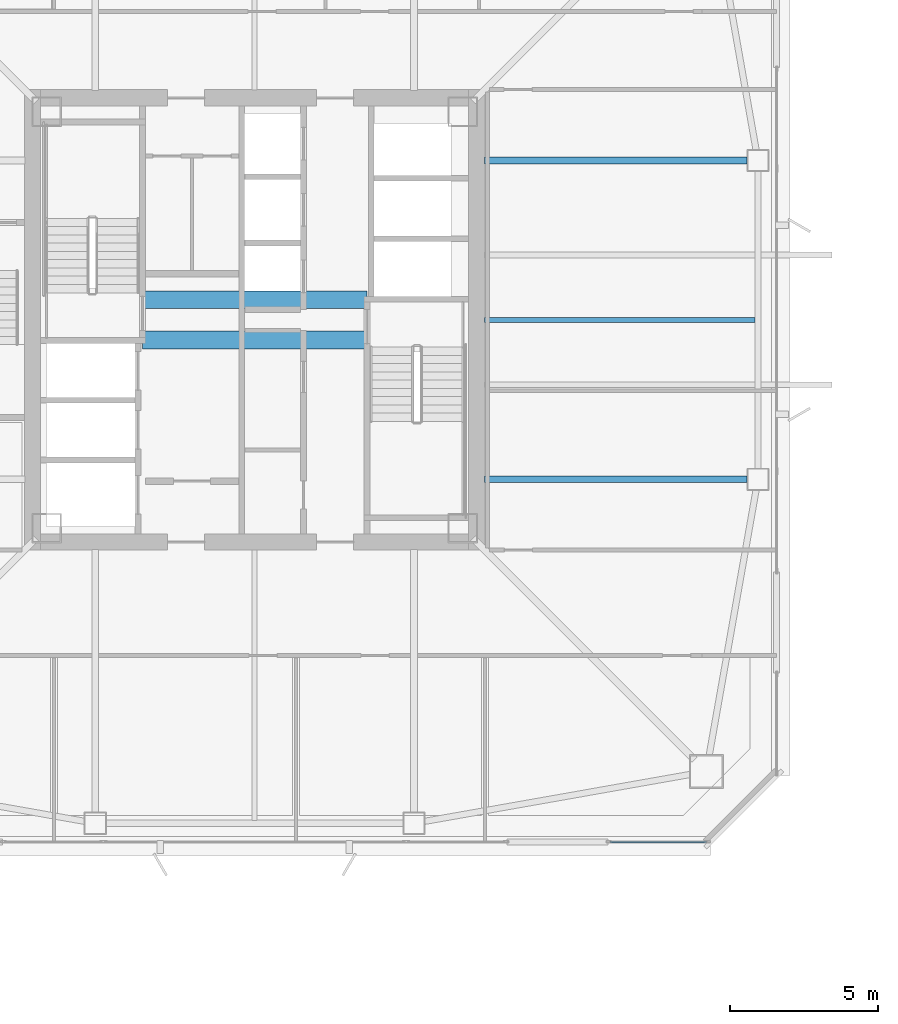
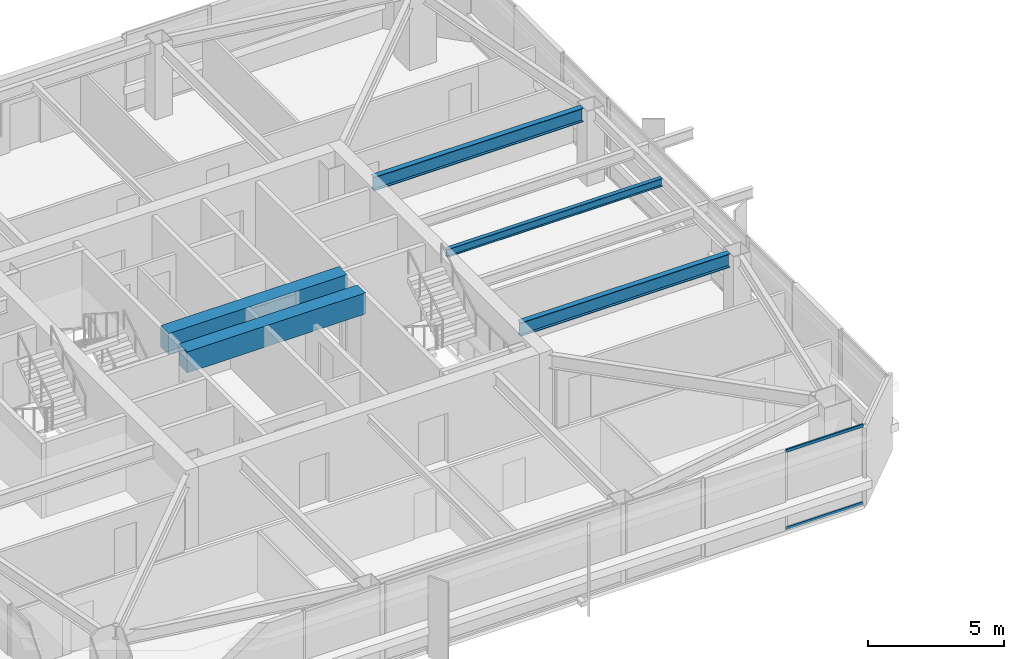
# One storey, part 9 of 46: 5 beams, 2 members, 1 element without a shape of its own.
"""IFC4 building model written with IfcOpenShell, lengths in metres."""

import ifcopenshell
import ifcopenshell.guid

model = None  # the IFC model being written
_history = None  # IfcOwnerHistory: only IFC2X3 demands one
_inside = {}  # id of a spatial element -> (the spatial element, [elements in it])
_under = {}  # id of a project, library or spatial element -> (it, [spatial elements below it])
_declared = {}  # id of a project -> (the project, [libraries it declares])
_typed = {}  # id of a type object -> (the type object, [elements of that type])
_made_of = {}  # id of a material, layer set ... -> (it, [elements and type objects made of it])


def new_model(schema):
    """Start an empty IFC model of exactly this schema.

    Asked for "IFC4X3", IfcOpenShell would pick the latest addendum, in which some entities
    have other attributes; the version numbers below select the first issue.
    IFC2X3 requires an IfcOwnerHistory on every rooted entity: one is made here for all.
    """
    global model, _history
    if schema == "IFC4X3":
        model = ifcopenshell.file(schema_version=(4, 3, 0, 0))
    else:
        model = ifcopenshell.file(schema=schema)
    _inside.clear()
    _under.clear()
    _declared.clear()
    _typed.clear()
    _made_of.clear()
    _history = None
    if model.schema == "IFC2X3":
        org = make("IfcOrganization", Name="unknown")
        user = make(
            "IfcPersonAndOrganization",
            ThePerson=make("IfcPerson", FamilyName="unknown"),
            TheOrganization=org,
        )
        app = make(
            "IfcApplication",
            ApplicationDeveloper=org,
            Version="unknown",
            ApplicationFullName="unknown",
            ApplicationIdentifier="unknown",
        )
        _history = make(
            "IfcOwnerHistory",
            OwningUser=user,
            OwningApplication=app,
            ChangeAction="ADDED",
            CreationDate=0,
        )
    return model


def make(cls, **values):
    """One entity of the class cls with the attributes given. An attribute that is None is left unset."""
    return model.create_entity(
        cls, **{name: value for name, value in values.items() if value is not None}
    )


def rooted(cls, **values):
    """An entity with a GlobalId (a new one), such as an element, a storey or a relation."""
    return make(cls, GlobalId=ifcopenshell.guid.new(), OwnerHistory=_history, **values)


def si_unit(unit_type, name, prefix=None):
    """IfcSIUnit, for example si_unit("LENGTHUNIT", "METRE", prefix="MILLI")."""
    return make("IfcSIUnit", UnitType=unit_type, Prefix=prefix, Name=name)


def assignment(units):
    """IfcUnitAssignment: the units of a project."""
    return None if units is None else make("IfcUnitAssignment", Units=units)


def point(xyz):
    """IfcCartesianPoint."""
    return None if xyz is None else make("IfcCartesianPoint", Coordinates=xyz)


def direction(xyz):
    """IfcDirection."""
    return None if xyz is None else make("IfcDirection", DirectionRatios=xyz)


def frame(location, z_axis=None, x_axis=None):
    """IfcAxis2Placement3D, a coordinate frame: its origin and axes. An axis left out is left unset."""
    return make(
        "IfcAxis2Placement3D",
        Location=point(location),
        Axis=direction(z_axis),
        RefDirection=direction(x_axis),
    )


def frame_2d(location, x_axis=None):
    """IfcAxis2Placement2D, a coordinate frame in the plane: its origin and x axis."""
    return make(
        "IfcAxis2Placement2D", Location=point(location), RefDirection=direction(x_axis)
    )


def origin():
    """The frame at (0, 0, 0) with its axes left unset."""
    return frame((0.0, 0.0, 0.0))


def origin_2d():
    """The frame at (0, 0) in the plane with its x axis left unset."""
    return frame_2d((0.0, 0.0))


def place(relative_to, where):
    """IfcLocalPlacement: puts the frame where relative to a parent placement (None: the world)."""
    return make(
        "IfcLocalPlacement", PlacementRelTo=relative_to, RelativePlacement=where
    )


def context(
    kind, dimensions, precision=None, world=None, true_north=None, identifier=None
):
    """IfcGeometricRepresentationContext, for example the 3D "Model" context."""
    return make(
        "IfcGeometricRepresentationContext",
        ContextIdentifier=identifier,
        ContextType=kind,
        CoordinateSpaceDimension=dimensions,
        Precision=precision,
        WorldCoordinateSystem=world,
        TrueNorth=true_north,
    )


def subcontext(parent, identifier, kind, view, scale=None):
    """IfcGeometricRepresentationSubContext, for example "Body" below "Model"."""
    return make(
        "IfcGeometricRepresentationSubContext",
        ContextIdentifier=identifier,
        ContextType=kind,
        ParentContext=parent,
        TargetScale=scale,
        TargetView=view,
    )


def project(units=None, contexts=None):
    """IfcProject with its units and contexts."""
    return rooted(
        "IfcProject",
        Name="project",
        RepresentationContexts=contexts,
        UnitsInContext=assignment(units),
    )


def spatial(cls, under=None, at=None, **own):
    """A site, building, storey or space (cls), placed at a placement, below another one or the project."""
    s = rooted(cls, ObjectPlacement=at, **own)
    if under is not None:
        _under.setdefault(under.id(), (under, []))[1].append(s)
    return s


def profile(cls, at=None, kind="AREA", **sizes):
    """A parametric profile (cls). Its sizes go by their IFC names, for example OverallWidth=200.0."""
    return make(cls, ProfileType=kind, Position=at, **sizes)


def rectangle(**sizes):
    """IfcRectangleProfileDef."""
    return profile("IfcRectangleProfileDef", **sizes)


def hollow_rectangle(**sizes):
    """IfcRectangleHollowProfileDef."""
    return profile("IfcRectangleHollowProfileDef", **sizes)


def i_section(**sizes):
    """IfcIShapeProfileDef."""
    return profile("IfcIShapeProfileDef", **sizes)


def extrude(swept, where, along, depth):
    """IfcExtrudedAreaSolid: the profile swept, set in the frame where, extruded along a direction by depth."""
    return make(
        "IfcExtrudedAreaSolid",
        SweptArea=swept,
        Position=where,
        ExtrudedDirection=direction(along),
        Depth=depth,
    )


def shape(context_of_items, identifier, shape_type, items):
    """IfcShapeRepresentation: the items that make up one representation, for example the "Body"."""
    return make(
        "IfcShapeRepresentation",
        ContextOfItems=context_of_items,
        RepresentationIdentifier=identifier,
        RepresentationType=shape_type,
        Items=items,
    )


def material(Name=None, Category=None):
    """IfcMaterial."""
    return make("IfcMaterial", Name=Name, Category=Category)


def material_profile(
    of_material, cross_section, Name=None, Category=None, Priority=None
):
    """IfcMaterialProfile: a cross section and its material."""
    return make(
        "IfcMaterialProfile",
        Name=Name,
        Material=of_material,
        Profile=cross_section,
        Priority=Priority,
        Category=Category,
    )


def profile_set(profiles, Name=None, composite=None):
    """IfcMaterialProfileSet."""
    return make(
        "IfcMaterialProfileSet",
        Name=Name,
        MaterialProfiles=profiles,
        CompositeProfile=composite,
    )


def made_of(thing, what):
    """Note that an element or type object is made of a material, layer set ...; save() writes the relation."""
    if what is not None:
        _made_of.setdefault(what.id(), (what, []))[1].append(thing)
    return thing


def type_object(cls, material=None, **own):
    """A type object (cls), such as IfcWallType, which elements share."""
    return made_of(rooted(cls, **own), material)


def element(
    cls,
    number,
    at=None,
    inside=None,
    cuts=None,
    type_object=None,
    material=None,
    context=None,
    identifier="Body",
    shape_type=None,
    held_by="IfcProductDefinitionShape",
    body=None,
    shapes=None,
    **own,
):
    """One element of the class cls, such as IfcWall. Its Tag is "e" and its number.

    at: its placement. inside: the storey or other place that contains it. cuts: it is an
    opening in that element (IfcRelVoidsElement). A single representation is given by context,
    identifier, shape_type and body (its items); several are given by shapes. held_by: the class
    of the entity that holds the representations. save() writes the other relations.
    """
    e = rooted(cls, Tag="e%d" % number, ObjectPlacement=at, **own)
    if body is not None:
        shapes = [shape(context, identifier, shape_type, body)]
    if shapes is not None:
        e.Representation = make(held_by, Representations=shapes)
    if inside is not None:
        _inside.setdefault(inside.id(), (inside, []))[1].append(e)
    if cuts is not None:
        rooted(
            "IfcRelVoidsElement", RelatingBuildingElement=cuts, RelatedOpeningElement=e
        )
    if type_object is not None:
        _typed.setdefault(type_object.id(), (type_object, []))[1].append(e)
    return made_of(e, material)


def aggregate(whole, parts):
    """IfcRelAggregates: a whole, such as a stair, and the parts it consists of."""
    return rooted("IfcRelAggregates", RelatingObject=whole, RelatedObjects=parts)


def save(model, path):
    """Write the relations noted so far, then the file.

    IfcRelAggregates (storeys below a building ...), IfcRelContainedInSpatialStructure (elements
    in a storey), IfcRelDefinesByType, IfcRelAssociatesMaterial and IfcRelDeclares: one each for
    every whole, place, type object, material and project.
    """
    for whole, parts in _under.values():
        aggregate(whole, parts)
    for where, things in _inside.values():
        rooted(
            "IfcRelContainedInSpatialStructure",
            RelatedElements=things,
            RelatingStructure=where,
        )
    for kind, things in _typed.values():
        rooted("IfcRelDefinesByType", RelatedObjects=things, RelatingType=kind)
    for what, things in _made_of.values():
        rooted("IfcRelAssociatesMaterial", RelatedObjects=things, RelatingMaterial=what)
    for by, libraries in _declared.values():
        rooted("IfcRelDeclares", RelatingContext=by, RelatedDefinitions=libraries)
    model.write(path)


model = new_model("IFC4")

# Units and contexts
model_context = context("Model", 3, precision=1e-05, world=origin(), true_north=direction((0.0, 1.0)))
body_context = subcontext(model_context, "Body", "Model", "MODEL_VIEW")
ifc_project = project(units=[si_unit("LENGTHUNIT", "METRE"), si_unit("AREAUNIT", "SQUARE_METRE"), si_unit("VOLUMEUNIT", "CUBIC_METRE"), si_unit("PLANEANGLEUNIT", "RADIAN"), si_unit("MASSUNIT", "GRAM", prefix="KILO")], contexts=[model_context])

# Site, building, storey
site_placement = place(None, origin())
site = spatial("IfcSite", under=ifc_project, at=site_placement, CompositionType="ELEMENT")
building_placement = place(site_placement, origin())
building = spatial("IfcBuilding", under=site, at=building_placement, Name="Tashvorn Skyway Center", CompositionType="ELEMENT")
storey_placement = place(building_placement, frame((0.0, 0.0, 167.64990234375)))
storey = spatial("IfcBuildingStorey", under=building, at=storey_placement, Name="L45", CompositionType="ELEMENT", Elevation=167.64990234375)

# Beams
ifc_material_1 = material(Name="Steel ASTM A992 Grade 50", Category="steel")
ifc_material_profile_1 = material_profile(ifc_material_1, i_section(OverallWidth=0.22998046875, OverallDepth=0.616943359375, WebThickness=0.01318359375, FlangeThickness=0.022216796875, at=origin_2d()), Name="W24X94")
ifc_profile_set_1 = profile_set([ifc_material_profile_1], Name="Steel ASTM A992 Grade 50")
beam_type_1 = type_object("IfcBeamType", Name="BM-BEAM-W24X94", PredefinedType="BEAM", material=ifc_profile_set_1)
for number, where, z_axis, x_axis, name in (
    (1, (58.679931640625, 26.60009765625, 3.0615234375), (-1.0, 0.0, 0.0), (0.0, -1.0, 0.0), "Tower 1 L45 Primary Floor Girder FC-E1"),
    (2, (58.679931640625, 37.39990234375, 3.0615234375), (-1.0, 0.0, 0.0), (0.0, -1.0, 0.0), "Tower 1 L45 Primary Floor Girder FC-E2"),
):
    element("IfcBeam", number, at=place(storey_placement, frame(where, z_axis=z_axis, x_axis=x_axis)), inside=storey, type_object=beam_type_1, Name=name, PredefinedType="BEAM", context=body_context, shape_type="SweptSolid", body=[
        extrude(i_section(OverallWidth=0.22998046875, OverallDepth=0.616943359375, WebThickness=0.01318359375, FlangeThickness=0.022216796875, at=origin_2d()), origin(), (0.0, 0.0, 1.0), 8.89990234375),
    ])
ifc_material_profile_2 = material_profile(ifc_material_1, i_section(OverallWidth=0.1708984375, OverallDepth=0.35498046875, WebThickness=0.007080078125, FlangeThickness=0.01171875, at=origin_2d()), Name="W14X34")
ifc_profile_set_2 = profile_set([ifc_material_profile_2], Name="Steel ASTM A992 Grade 50")
beam_type_2 = type_object("IfcBeamType", Name="BM-JOIST-W14X34", PredefinedType="JOIST", material=ifc_profile_set_2)
beam_placement = place(storey_placement, frame((49.7900390625, 32.0, 3.192626953125), z_axis=(1.0, 0.0, 0.0), x_axis=(0.0, 1.0, 0.0)))
element("IfcBeam", 3, at=beam_placement, inside=storey, type_object=beam_type_2, Name="Tower 1 L45 Secondary Composite Joist JE", PredefinedType="JOIST", context=body_context, shape_type="SweptSolid", body=[
    extrude(i_section(OverallWidth=0.1708984375, OverallDepth=0.35498046875, WebThickness=0.007080078125, FlangeThickness=0.01171875, at=origin_2d()), origin(), (0.0, 0.0, 1.0), 9.162353515625),
])
ifc_material_2 = material(Name="Concrete C60/75", Category="concrete")
ifc_material_profile_3 = material_profile(ifc_material_2, rectangle(XDim=0.60009765625, YDim=0.949951171875, at=origin_2d()), Name="RCB600x950")
ifc_profile_set_3 = profile_set([ifc_material_profile_3], Name="Concrete C60/75")
beam_type_3 = type_object("IfcBeamType", Name="BM-LINTEL-RCB600x950", PredefinedType="LINTEL", material=ifc_profile_set_3)
for number, where, z_axis, x_axis, name in (
    (4, (38.199951171875, 32.679931640625, 2.89501953125), (1.0, 0.0, 0.0), (0.0, 1.0, 0.0), "Tower 1 L45 Core Coupling Beam CN"),
    (5, (38.199951171875, 31.320068359375, 2.89501953125), (1.0, 0.0, 0.0), (0.0, 1.0, 0.0), "Tower 1 L45 Core Coupling Beam CS"),
):
    element("IfcBeam", number, at=place(storey_placement, frame(where, z_axis=z_axis, x_axis=x_axis)), inside=storey, type_object=beam_type_3, Name=name, PredefinedType="LINTEL", context=body_context, shape_type="SweptSolid", body=[
        extrude(rectangle(XDim=0.60009765625, YDim=0.949951171875, at=origin_2d()), origin(), (0.0, 0.0, 1.0), 7.60009765625),
    ])

# Curtain wall, members
ifc_material_3 = material(Name="Thermally broken bronze-anodized aluminium 6063-T6", Category="aluminium")
curtain_wall_type = type_object("IfcCurtainWallType", Name="CW-CW-Z4", PredefinedType="NOTDEFINED", material=ifc_material_3)
curtain_wall_placement = place(storey_placement, origin())
curtain_wall = element("IfcCurtainWall", 6, at=curtain_wall_placement, inside=storey, type_object=curtain_wall_type, Name="Tower 1 L45 South Unitised Curtain Wall Glazing Group 1", PredefinedType="NOTDEFINED")
ifc_material_profile_4 = material_profile(ifc_material_3, hollow_rectangle(XDim=0.070068359375, YDim=0.1298828125, WallThickness=0.00390625, at=origin_2d()), Name="ALU-TRAN-70x130")
ifc_profile_set_4 = profile_set([ifc_material_profile_4], Name="Thermally broken bronze-anodized aluminium 6063-T6")
member_type = type_object("IfcMemberType", Name="CWT-CW-Z4", PredefinedType="USERDEFINED", material=ifc_profile_set_4)
member_1_placement = place(storey_placement, frame((57.31005859375, 14.320068359375, 0.03515625), z_axis=(-1.0, 0.0, 0.0), x_axis=(0.0, -1.0, 0.0)))
member_1 = element("IfcMember", 7, at=member_1_placement, type_object=member_type, Name="CW-Z4 transom 1.1", ObjectType="TRANSOM", PredefinedType="USERDEFINED", context=body_context, shape_type="SweptSolid", body=[
    extrude(hollow_rectangle(XDim=0.070068359375, YDim=0.1298828125, WallThickness=0.00390625, at=origin_2d()), origin(), (0.0, 0.0, 1.0), 3.27783203125),
])
member_2_placement = place(storey_placement, frame((57.31005859375, 14.320068359375, 3.51513671875), z_axis=(-1.0, 0.0, 0.0), x_axis=(0.0, -1.0, 0.0)))
member_2 = element("IfcMember", 8, at=member_2_placement, type_object=member_type, Name="CW-Z4 transom 1.2", ObjectType="TRANSOM", PredefinedType="USERDEFINED", context=body_context, shape_type="SweptSolid", body=[
    extrude(hollow_rectangle(XDim=0.070068359375, YDim=0.1298828125, WallThickness=0.00390625, at=origin_2d()), origin(), (0.0, 0.0, 1.0), 3.27783203125),
])
aggregate(curtain_wall, [member_1, member_2])

save(model, "model.ifc")
